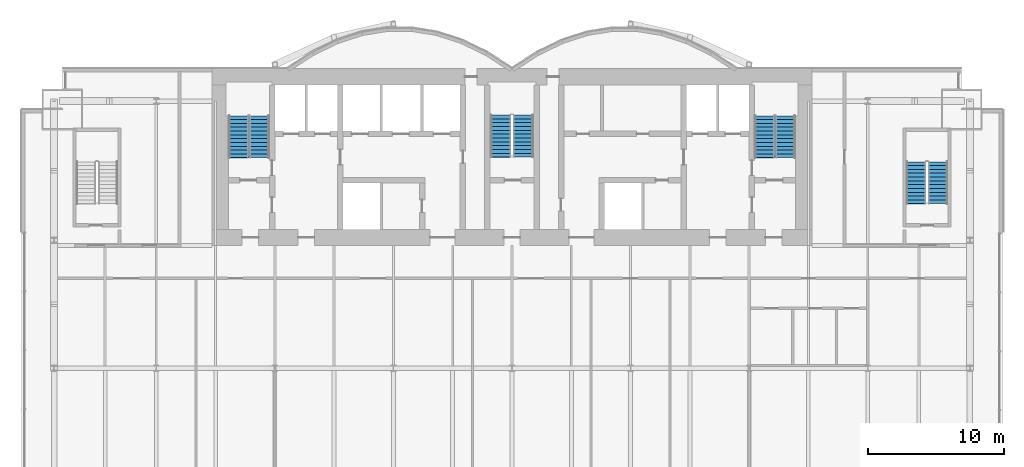
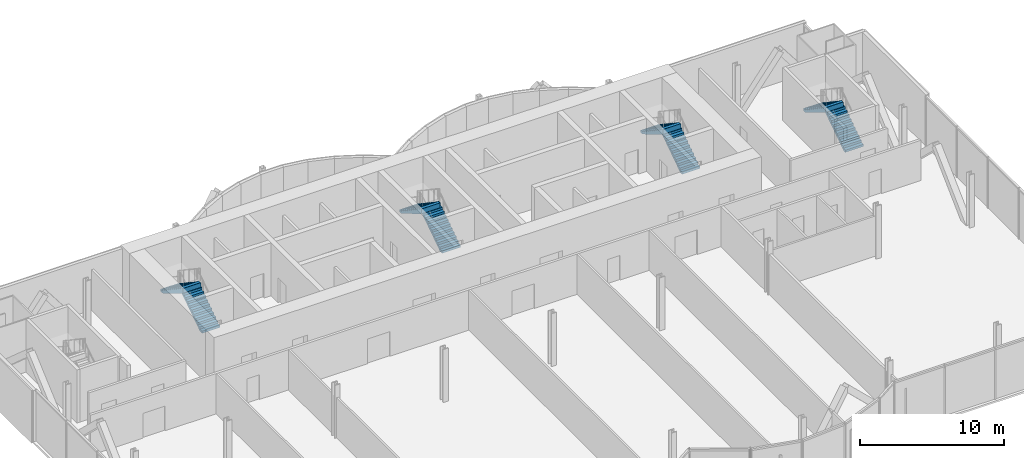
# One storey, part 18 of 21: 8 stair flights, 4 elements without a shape of their own.
"""IFC4 building model written with IfcOpenShell, lengths in metres."""

from ifc_helpers import new_model, si_unit, direction, frame, origin, place, context, subcontext, project, spatial, polyline, outline, extrude, material, type_object, element, aggregate, save


model = new_model("IFC4")

# Units and contexts
model_context = context("Model", 3, precision=1e-05, world=origin(), true_north=direction((0.0, 1.0)))
body_context = subcontext(model_context, "Body", "Model", "MODEL_VIEW")
ifc_project = project(units=[si_unit("LENGTHUNIT", "METRE"), si_unit("AREAUNIT", "SQUARE_METRE"), si_unit("VOLUMEUNIT", "CUBIC_METRE"), si_unit("PLANEANGLEUNIT", "RADIAN"), si_unit("MASSUNIT", "GRAM", prefix="KILO")], contexts=[model_context])

# Site, building, storey
site_placement = place(None, origin())
site = spatial("IfcSite", under=ifc_project, at=site_placement, CompositionType="ELEMENT")
building_placement = place(site_placement, origin())
building = spatial("IfcBuilding", under=site, at=building_placement, Name="Bicima Exchange Tower", CompositionType="ELEMENT")
storey_placement = place(building_placement, frame((0.0, 0.0, 48.5)))
storey = spatial("IfcBuildingStorey", under=building, at=storey_placement, Name="L09", CompositionType="ELEMENT", Elevation=48.5)

# Stair, stair flights
ifc_material = material(Name="Concrete C50/60", Category="concrete")
stair_type_1 = type_object("IfcStairType", Name="Exit stair", PredefinedType="HALF_TURN_STAIR", material=ifc_material)
stair_1_placement = place(storey_placement, origin())
stair_1 = element("IfcStair", 1, at=stair_1_placement, inside=storey, type_object=stair_type_1, Name="L09 West exit stair", PredefinedType="HALF_TURN_STAIR")
stair_flight_type_1 = type_object("IfcStairFlightType", Name="Stair flight RC", PredefinedType="STRAIGHT", material=ifc_material)
stair_flight_1_placement = place(storey_placement, frame((-18.52490234375, -6.550048828125, 0.0), z_axis=(0.0, 0.0, 1.0), x_axis=(0.0, 1.0, 0.0)))
stair_flight_1 = element("IfcStairFlight", 2, at=stair_flight_1_placement, type_object=stair_flight_type_1, Name="ST-W flight 1", NumberOfRisers=12, NumberOfTreads=11, PredefinedType="STRAIGHT", RiserHeight=0.1875, TreadLength=0.28, context=body_context, shape_type="SweptSolid", body=[
    extrude(outline(polyline([(0.0, 0.0), (0.0, 0.1875), (0.280029296875, 0.1875), (0.280029296875, 0.375), (0.56005859375, 0.375), (0.56005859375, 0.5625), (0.840087890625, 0.5625), (0.840087890625, 0.75), (1.1201171875, 0.75), (1.1201171875, 0.9375), (1.39990234375, 0.9375), (1.39990234375, 1.125), (1.679931640625, 1.125), (1.679931640625, 1.3125), (1.9599609375, 1.3125), (1.9599609375, 1.5), (2.239990234375, 1.5), (2.239990234375, 1.6875), (2.52001953125, 1.6875), (2.52001953125, 1.875), (2.800048828125, 1.875), (2.800048828125, 2.0625), (3.080078125, 2.0625), (3.080078125, 2.25), (3.080078125, 1.882080078125), (0.26953125, 0.0), (0.0, 0.0)])), frame((0.0, 0.72509765625, 0.0), z_axis=(0.0, -1.0, 0.0), x_axis=(1.0, 0.0, 0.0)), (0.0, 0.0, 1.0), 1.449951171875),
])
stair_flight_2_placement = place(storey_placement, frame((-20.074951171875, -3.469970703125, 2.25), z_axis=(0.0, 0.0, 1.0), x_axis=(0.0, -1.0, 0.0)))
stair_flight_2 = element("IfcStairFlight", 3, at=stair_flight_2_placement, type_object=stair_flight_type_1, Name="ST-W flight 2", NumberOfRisers=12, NumberOfTreads=11, PredefinedType="STRAIGHT", RiserHeight=0.1875, TreadLength=0.28, context=body_context, shape_type="SweptSolid", body=[
    extrude(outline(polyline([(0.0, 0.0), (0.0, 0.1875), (0.280029296875, 0.1875), (0.280029296875, 0.375), (0.56005859375, 0.375), (0.56005859375, 0.5625), (0.840087890625, 0.5625), (0.840087890625, 0.75), (1.1201171875, 0.75), (1.1201171875, 0.9375), (1.39990234375, 0.9375), (1.39990234375, 1.125), (1.679931640625, 1.125), (1.679931640625, 1.3125), (1.9599609375, 1.3125), (1.9599609375, 1.5), (2.239990234375, 1.5), (2.239990234375, 1.6875), (2.52001953125, 1.6875), (2.52001953125, 1.875), (2.800048828125, 1.875), (2.800048828125, 2.0625), (3.080078125, 2.0625), (3.080078125, 2.10400390625), (3.094970703125, 2.10400390625), (3.094970703125, 1.70458984375), (0.26953125, 0.0), (0.0, 0.0)])), frame((0.0, 0.72509765625, 0.0), z_axis=(0.0, -1.0, 0.0), x_axis=(1.0, 0.0, 0.0)), (0.0, 0.0, 1.0), 1.449951171875),
])
aggregate(stair_1, [stair_flight_1, stair_flight_2])

stair_2_placement = place(storey_placement, origin())
stair_2 = element("IfcStair", 4, at=stair_2_placement, inside=storey, type_object=stair_type_1, Name="L09 East exit stair", PredefinedType="HALF_TURN_STAIR")
stair_flight_3_placement = place(storey_placement, frame((20.074951171875, -6.550048828125, 0.0), z_axis=(0.0, 0.0, 1.0), x_axis=(0.0, 1.0, 0.0)))
stair_flight_3 = element("IfcStairFlight", 5, at=stair_flight_3_placement, type_object=stair_flight_type_1, Name="ST-E flight 1", NumberOfRisers=12, NumberOfTreads=11, PredefinedType="STRAIGHT", RiserHeight=0.1875, TreadLength=0.28, context=body_context, shape_type="SweptSolid", body=[
    extrude(outline(polyline([(0.0, 0.0), (0.0, 0.1875), (0.280029296875, 0.1875), (0.280029296875, 0.375), (0.56005859375, 0.375), (0.56005859375, 0.5625), (0.840087890625, 0.5625), (0.840087890625, 0.75), (1.1201171875, 0.75), (1.1201171875, 0.9375), (1.39990234375, 0.9375), (1.39990234375, 1.125), (1.679931640625, 1.125), (1.679931640625, 1.3125), (1.9599609375, 1.3125), (1.9599609375, 1.5), (2.239990234375, 1.5), (2.239990234375, 1.6875), (2.52001953125, 1.6875), (2.52001953125, 1.875), (2.800048828125, 1.875), (2.800048828125, 2.0625), (3.080078125, 2.0625), (3.080078125, 2.25), (3.080078125, 1.882080078125), (0.26953125, 0.0), (0.0, 0.0)])), frame((0.0, 0.72509765625, 0.0), z_axis=(0.0, -1.0, 0.0), x_axis=(1.0, 0.0, 0.0)), (0.0, 0.0, 1.0), 1.449951171875),
])
stair_flight_4_placement = place(storey_placement, frame((18.52490234375, -3.469970703125, 2.25), z_axis=(0.0, 0.0, 1.0), x_axis=(0.0, -1.0, 0.0)))
stair_flight_4 = element("IfcStairFlight", 6, at=stair_flight_4_placement, type_object=stair_flight_type_1, Name="ST-E flight 2", NumberOfRisers=12, NumberOfTreads=11, PredefinedType="STRAIGHT", RiserHeight=0.1875, TreadLength=0.28, context=body_context, shape_type="SweptSolid", body=[
    extrude(outline(polyline([(0.0, 0.0), (0.0, 0.1875), (0.280029296875, 0.1875), (0.280029296875, 0.375), (0.56005859375, 0.375), (0.56005859375, 0.5625), (0.840087890625, 0.5625), (0.840087890625, 0.75), (1.1201171875, 0.75), (1.1201171875, 0.9375), (1.39990234375, 0.9375), (1.39990234375, 1.125), (1.679931640625, 1.125), (1.679931640625, 1.3125), (1.9599609375, 1.3125), (1.9599609375, 1.5), (2.239990234375, 1.5), (2.239990234375, 1.6875), (2.52001953125, 1.6875), (2.52001953125, 1.875), (2.800048828125, 1.875), (2.800048828125, 2.0625), (3.080078125, 2.0625), (3.080078125, 2.10400390625), (3.094970703125, 2.10400390625), (3.094970703125, 1.70458984375), (0.26953125, 0.0), (0.0, 0.0)])), frame((0.0, 0.72509765625, 0.0), z_axis=(0.0, -1.0, 0.0), x_axis=(1.0, 0.0, 0.0)), (0.0, 0.0, 1.0), 1.449951171875),
])
aggregate(stair_2, [stair_flight_3, stair_flight_4])

stair_3_placement = place(storey_placement, origin())
stair_3 = element("IfcStair", 7, at=stair_3_placement, inside=storey, type_object=stair_type_1, Name="L09 East end exit stair", PredefinedType="HALF_TURN_STAIR")
stair_flight_5_placement = place(storey_placement, frame((31.25, -9.925048828125, 0.0), z_axis=(0.0, 0.0, 1.0), x_axis=(0.0, 1.0, 0.0)))
stair_flight_5 = element("IfcStairFlight", 8, at=stair_flight_5_placement, type_object=stair_flight_type_1, Name="ST-EE flight 1", NumberOfRisers=12, NumberOfTreads=11, PredefinedType="STRAIGHT", RiserHeight=0.1875, TreadLength=0.28, context=body_context, shape_type="SweptSolid", body=[
    extrude(outline(polyline([(0.0, 0.0), (0.0, 0.1875), (0.280029296875, 0.1875), (0.280029296875, 0.375), (0.56005859375, 0.375), (0.56005859375, 0.5625), (0.840087890625, 0.5625), (0.840087890625, 0.75), (1.1201171875, 0.75), (1.1201171875, 0.9375), (1.39990234375, 0.9375), (1.39990234375, 1.125), (1.679931640625, 1.125), (1.679931640625, 1.3125), (1.9599609375, 1.3125), (1.9599609375, 1.5), (2.239990234375, 1.5), (2.239990234375, 1.6875), (2.52001953125, 1.6875), (2.52001953125, 1.875), (2.800048828125, 1.875), (2.800048828125, 2.0625), (3.080078125, 2.0625), (3.080078125, 2.25), (3.080078125, 1.882080078125), (0.26953125, 0.0), (0.0, 0.0)])), frame((0.0, 0.72509765625, 0.0), z_axis=(0.0, -1.0, 0.0), x_axis=(1.0, 0.0, 0.0)), (0.0, 0.0, 1.0), 1.449951171875),
])
stair_flight_6_placement = place(storey_placement, frame((29.64990234375, -6.844970703125, 2.25), z_axis=(0.0, 0.0, 1.0), x_axis=(0.0, -1.0, 0.0)))
stair_flight_6 = element("IfcStairFlight", 9, at=stair_flight_6_placement, type_object=stair_flight_type_1, Name="ST-EE flight 2", NumberOfRisers=12, NumberOfTreads=11, PredefinedType="STRAIGHT", RiserHeight=0.1875, TreadLength=0.28, context=body_context, shape_type="SweptSolid", body=[
    extrude(outline(polyline([(0.0, 0.0), (0.0, 0.1875), (0.280029296875, 0.1875), (0.280029296875, 0.375), (0.56005859375, 0.375), (0.56005859375, 0.5625), (0.840087890625, 0.5625), (0.840087890625, 0.75), (1.1201171875, 0.75), (1.1201171875, 0.9375), (1.39990234375, 0.9375), (1.39990234375, 1.125), (1.679931640625, 1.125), (1.679931640625, 1.3125), (1.9599609375, 1.3125), (1.9599609375, 1.5), (2.239990234375, 1.5), (2.239990234375, 1.6875), (2.52001953125, 1.6875), (2.52001953125, 1.875), (2.800048828125, 1.875), (2.800048828125, 2.0625), (3.080078125, 2.0625), (3.080078125, 2.10400390625), (3.094970703125, 2.10400390625), (3.094970703125, 1.70458984375), (0.26953125, 0.0), (0.0, 0.0)])), frame((0.0, 0.72509765625, 0.0), z_axis=(0.0, -1.0, 0.0), x_axis=(1.0, 0.0, 0.0)), (0.0, 0.0, 1.0), 1.449951171875),
])
aggregate(stair_3, [stair_flight_5, stair_flight_6])

stair_type_2 = type_object("IfcStairType", Name="Exit stair 1500", PredefinedType="HALF_TURN_STAIR", material=ifc_material)
stair_4_placement = place(storey_placement, origin())
stair_4 = element("IfcStair", 10, at=stair_4_placement, inside=storey, type_object=stair_type_2, Name="L09 Central exit stair", PredefinedType="HALF_TURN_STAIR")
stair_flight_type_2 = type_object("IfcStairFlightType", Name="Stair flight RC 1500", PredefinedType="STRAIGHT", material=ifc_material)
stair_flight_7_placement = place(storey_placement, frame((0.824951171875, -6.5, 0.0), z_axis=(0.0, 0.0, 1.0), x_axis=(0.0, 1.0, 0.0)))
stair_flight_7 = element("IfcStairFlight", 11, at=stair_flight_7_placement, type_object=stair_flight_type_2, Name="ST-C flight 1", NumberOfRisers=12, NumberOfTreads=11, PredefinedType="STRAIGHT", RiserHeight=0.1875, TreadLength=0.28, context=body_context, shape_type="SweptSolid", body=[
    extrude(outline(polyline([(0.0, 0.0), (0.0, 0.1875), (0.280029296875, 0.1875), (0.280029296875, 0.375), (0.56005859375, 0.375), (0.56005859375, 0.5625), (0.840087890625, 0.5625), (0.840087890625, 0.75), (1.1201171875, 0.75), (1.1201171875, 0.9375), (1.39990234375, 0.9375), (1.39990234375, 1.125), (1.679931640625, 1.125), (1.679931640625, 1.3125), (1.9599609375, 1.3125), (1.9599609375, 1.5), (2.239990234375, 1.5), (2.239990234375, 1.6875), (2.52001953125, 1.6875), (2.52001953125, 1.875), (2.800048828125, 1.875), (2.800048828125, 2.0625), (3.080078125, 2.0625), (3.080078125, 2.25), (3.080078125, 1.882080078125), (0.26953125, 0.0), (0.0, 0.0)])), frame((0.0, 0.75, 0.0), z_axis=(0.0, -1.0, 0.0), x_axis=(1.0, 0.0, 0.0)), (0.0, 0.0, 1.0), 1.5),
])
stair_flight_8_placement = place(storey_placement, frame((-0.824951171875, -3.419921875, 2.25), z_axis=(0.0, 0.0, 1.0), x_axis=(0.0, -1.0, 0.0)))
stair_flight_8 = element("IfcStairFlight", 12, at=stair_flight_8_placement, type_object=stair_flight_type_2, Name="ST-C flight 2", NumberOfRisers=12, NumberOfTreads=11, PredefinedType="STRAIGHT", RiserHeight=0.1875, TreadLength=0.28, context=body_context, shape_type="SweptSolid", body=[
    extrude(outline(polyline([(0.0, 0.0), (0.0, 0.1875), (0.280029296875, 0.1875), (0.280029296875, 0.375), (0.56005859375, 0.375), (0.56005859375, 0.5625), (0.840087890625, 0.5625), (0.840087890625, 0.75), (1.1201171875, 0.75), (1.1201171875, 0.9375), (1.39990234375, 0.9375), (1.39990234375, 1.125), (1.679931640625, 1.125), (1.679931640625, 1.3125), (1.9599609375, 1.3125), (1.9599609375, 1.5), (2.239990234375, 1.5), (2.239990234375, 1.6875), (2.52001953125, 1.6875), (2.52001953125, 1.875), (2.800048828125, 1.875), (2.800048828125, 2.0625), (3.080078125, 2.0625), (3.080078125, 2.10400390625), (3.094970703125, 2.10400390625), (3.094970703125, 1.70458984375), (0.26953125, 0.0), (0.0, 0.0)])), frame((0.0, 0.75, 0.0), z_axis=(0.0, -1.0, 0.0), x_axis=(1.0, 0.0, 0.0)), (0.0, 0.0, 1.0), 1.5),
])
aggregate(stair_4, [stair_flight_7, stair_flight_8])

save(model, "model.ifc")
